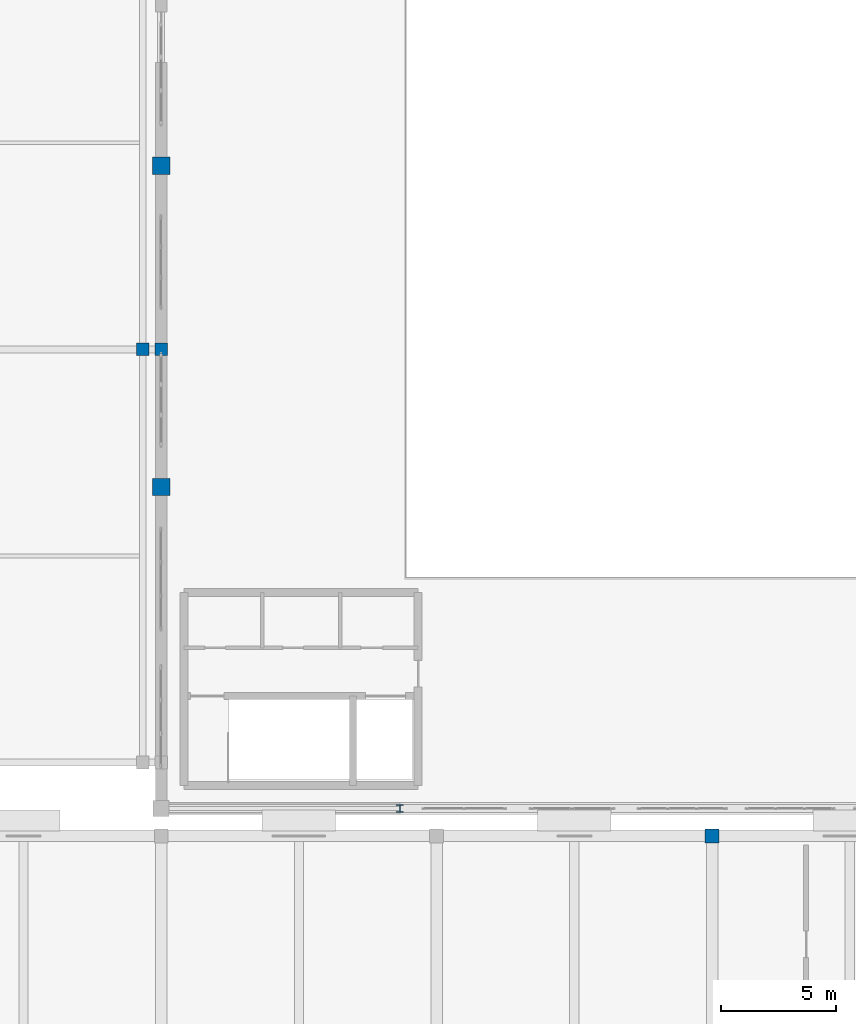
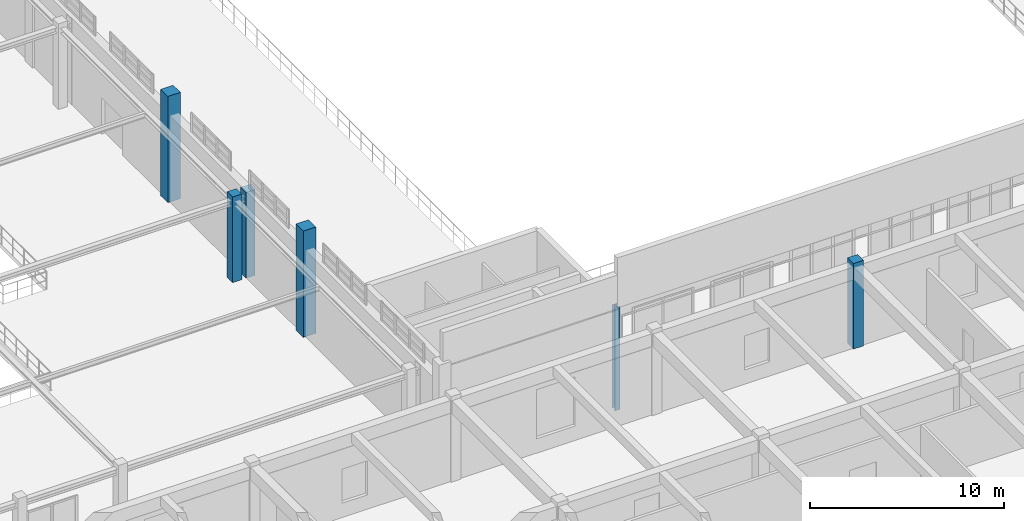
# One storey, part 3 of 197: 6 columns.
"""IFC4 building model written with IfcOpenShell, lengths in metres."""

from ifc_helpers import new_model, si_unit, derived_unit, direction, frame, origin, origin_2d, place, context, subcontext, project, spatial, rectangle, i_section, extrude, material, material_profile, profile_set, type_object, element, save


model = new_model("IFC4")

# Units and contexts
model_context = context("Model", 3, precision=1e-05, world=origin(), true_north=direction((0.0, 1.0)))
body_context = subcontext(model_context, "Body", "Model", "MODEL_VIEW")
ifc_project = project(units=[si_unit("LENGTHUNIT", "METRE"), si_unit("AREAUNIT", "SQUARE_METRE"), si_unit("VOLUMEUNIT", "CUBIC_METRE"), si_unit("PLANEANGLEUNIT", "RADIAN"), si_unit("MASSUNIT", "GRAM", prefix="KILO"), derived_unit("THERMALTRANSMITTANCEUNIT", [(si_unit("POWERUNIT", "WATT"), 1), (si_unit("LENGTHUNIT", "METRE"), -2), (si_unit("THERMODYNAMICTEMPERATUREUNIT", "KELVIN"), -1)])], contexts=[model_context])

# Site, building, storey
site_placement = place(None, origin())
site = spatial("IfcSite", under=ifc_project, at=site_placement, CompositionType="ELEMENT")
building_placement = place(site_placement, origin())
building = spatial("IfcBuilding", under=site, at=building_placement, Name="Almenara Railside Exhibition Hall", CompositionType="ELEMENT")
storey_placement = place(building_placement, frame((0.0, 0.0, 5.39990234375)))
storey = spatial("IfcBuildingStorey", under=building, at=storey_placement, Name="L01", CompositionType="ELEMENT", Elevation=5.39990234375)

# Columns
ifc_material_1 = material(Name="Concrete C35/45", Category="concrete")
ifc_material_profile_1 = material_profile(ifc_material_1, rectangle(XDim=0.550048828125, YDim=0.550048828125, at=origin_2d()), Name="RC 550x550")
ifc_profile_set_1 = profile_set([ifc_material_profile_1], Name="Concrete C35/45")
column_type_1 = type_object("IfcColumnType", Name="RC Column 550x550 C35/45", PredefinedType="COLUMN", material=ifc_profile_set_1)
for number, where, z_axis, x_axis, name in (
    (1, (138.0, 54.0, 0.0), (0.0, 0.0, 1.0), (1.0, 0.0, 0.0), "Column 0240"),
    (2, (137.199951171875, 54.0, 0.0), (0.0, 0.0, 1.0), (1.0, 0.0, 0.0), "Column 0504"),
):
    element("IfcColumn", number, at=place(storey_placement, frame(where, z_axis=z_axis, x_axis=x_axis)), inside=storey, type_object=column_type_1, Name=name, PredefinedType="COLUMN", context=body_context, shape_type="SweptSolid", body=[
        extrude(rectangle(XDim=0.550048828125, YDim=0.550048828125, at=origin_2d()), origin(), (0.0, 0.0, 1.0), 5.400146484375),
    ])
ifc_material_profile_2 = material_profile(ifc_material_1, rectangle(XDim=0.60009765625, YDim=0.60009765625, at=origin_2d()), Name="RC 600x600")
ifc_profile_set_2 = profile_set([ifc_material_profile_2], Name="Concrete C35/45")
column_type_2 = type_object("IfcColumnType", Name="RC Column 600x600 C35/45", PredefinedType="COLUMN", material=ifc_profile_set_2)
column_1_placement = place(storey_placement, frame((162.0, 32.800048828125, 0.0), z_axis=(0.0, 0.0, 1.0), x_axis=(1.0, 0.0, 0.0)))
element("IfcColumn", 3, at=column_1_placement, inside=storey, type_object=column_type_2, Name="Column 0375", PredefinedType="COLUMN", context=body_context, shape_type="SweptSolid", body=[
    extrude(rectangle(XDim=0.60009765625, YDim=0.60009765625, at=origin_2d()), origin(), (0.0, 0.0, 1.0), 5.400146484375),
])
ifc_material_2 = material(Name="Concrete C40/50", Category="concrete")
ifc_material_profile_3 = material_profile(ifc_material_2, rectangle(XDim=0.75, YDim=0.75, at=origin_2d()), Name="RC 750x750")
ifc_profile_set_3 = profile_set([ifc_material_profile_3], Name="Concrete C40/50")
column_type_3 = type_object("IfcColumnType", Name="RC Column 750x750 C40/50", PredefinedType="COLUMN", material=ifc_profile_set_3)
for number, where, z_axis, x_axis, name in (
    (4, (138.0, 48.0, 0.0), (0.0, 0.0, 1.0), (1.0, 0.0, 0.0), "Column 0094"),
    (5, (138.0, 62.0, 0.0), (0.0, 0.0, 1.0), (1.0, 0.0, 0.0), "Column 0100"),
):
    element("IfcColumn", number, at=place(storey_placement, frame(where, z_axis=z_axis, x_axis=x_axis)), inside=storey, type_object=column_type_3, Name=name, PredefinedType="COLUMN", context=body_context, shape_type="SweptSolid", body=[
        extrude(rectangle(XDim=0.75, YDim=0.75, at=origin_2d()), origin(), (0.0, 0.0, 1.0), 6.7001953125),
    ])
ifc_material_3 = material(Name="Structural steel S355JR", Category="steel")
ifc_material_profile_4 = material_profile(ifc_material_3, i_section(OverallWidth=0.307373046875, OverallDepth=0.314453125, WebThickness=0.011962890625, FlangeThickness=0.018798828125, FilletRadius=0.01513671875, at=origin_2d()), Name="UC 305x305x118")
ifc_profile_set_4 = profile_set([ifc_material_profile_4], Name="Structural steel S355JR")
column_type_4 = type_object("IfcColumnType", Name="Steel Column UC 305x305x118 S355JR", PredefinedType="COLUMN", material=ifc_profile_set_4)
column_2_placement = place(storey_placement, frame((148.39990234375, 34.0, 0.0), z_axis=(0.0, 0.0, 1.0), x_axis=(1.0, 0.0, 0.0)))
element("IfcColumn", 6, at=column_2_placement, inside=storey, type_object=column_type_4, Name="Column 0090", PredefinedType="COLUMN", context=body_context, shape_type="SweptSolid", body=[
    extrude(i_section(OverallWidth=0.307373046875, OverallDepth=0.314453125, WebThickness=0.011962890625, FlangeThickness=0.018798828125, FilletRadius=0.01513671875, at=origin_2d()), origin(), (0.0, 0.0, 1.0), 6.5),
])

save(model, "model.ifc")
